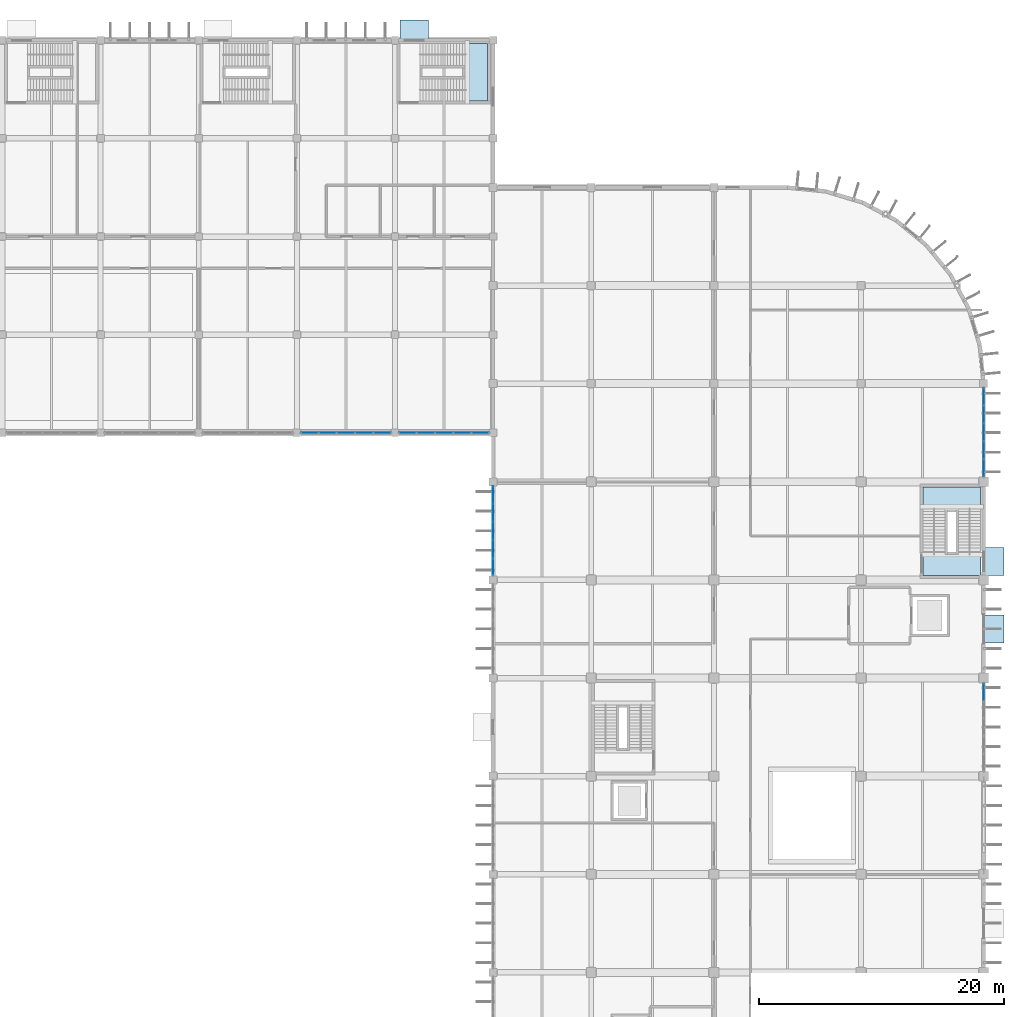
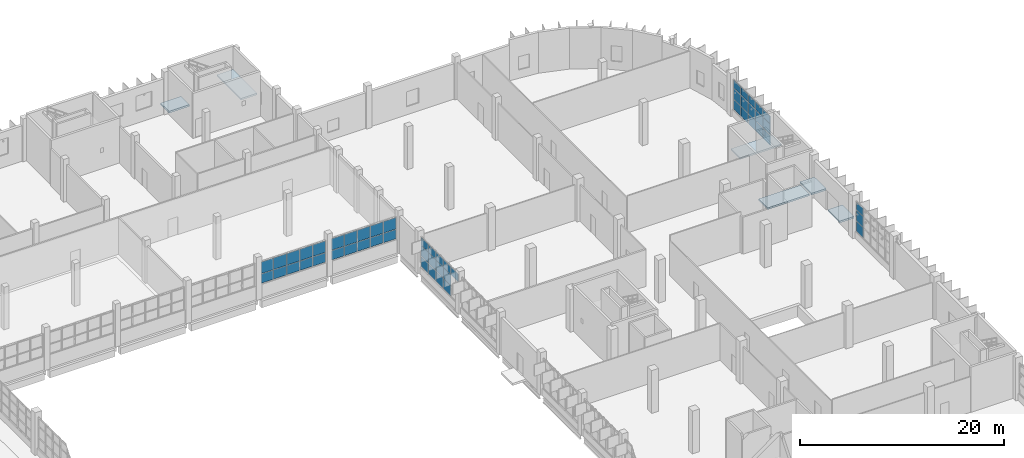
# One storey, part 64 of 103: 51 plates, 6 slabs, 7 elements without a shape of their own.
"""IFC4 building model written with IfcOpenShell, lengths in metres."""

from ifc_helpers import new_model, si_unit, direction, frame, origin, origin_2d, place, context, subcontext, project, spatial, polyline, rectangle, outline, extrude, material, layer, layer_set, type_object, element, aggregate, save


model = new_model("IFC4")

# Units and contexts
model_context = context("Model", 3, precision=1e-05, world=origin(), true_north=direction((0.0, 1.0)))
body_context = subcontext(model_context, "Body", "Model", "MODEL_VIEW")
ifc_project = project(units=[si_unit("LENGTHUNIT", "METRE"), si_unit("AREAUNIT", "SQUARE_METRE"), si_unit("VOLUMEUNIT", "CUBIC_METRE"), si_unit("PLANEANGLEUNIT", "RADIAN"), si_unit("MASSUNIT", "GRAM", prefix="KILO")], contexts=[model_context])

# Site, building, storey
site_placement = place(None, origin())
site = spatial("IfcSite", under=ifc_project, at=site_placement, CompositionType="ELEMENT")
building_placement = place(site_placement, origin())
building = spatial("IfcBuilding", under=site, at=building_placement, Name="Drelvana Railside Aquatics Centre", CompositionType="ELEMENT")
storey_placement = place(building_placement, origin())
storey = spatial("IfcBuildingStorey", under=building, at=storey_placement, Name="L00", CompositionType="ELEMENT", Elevation=0.0)

# Curtain wall, plates
ifc_material_1 = material(Name="Bronze-anodised aluminium curtain wall", Category="aluminium")
ifc_layer_1 = layer(ifc_material_1, 0.1650390625, Name="Bronze-anodised aluminium curtain wall")
ifc_layer_set_1 = layer_set([ifc_layer_1], Name="Bronze-anodised aluminium curtain wall")
curtain_wall_type_1 = type_object("IfcCurtainWallType", Name="CW-Z5-COURT", PredefinedType="NOTDEFINED", material=ifc_layer_set_1)
curtain_wall_1_placement = place(storey_placement, origin())
curtain_wall_1 = element("IfcCurtainWall", 1, at=curtain_wall_1_placement, inside=storey, type_object=curtain_wall_type_1, Name="Curtain wall CW-05-123", PredefinedType="NOTDEFINED")
ifc_material_2 = material(Name="Double-glazed low-e solar-control glass", Category="glass")
ifc_layer_2 = layer(ifc_material_2, 0.02587890625, Name="Double-glazed low-e solar-control glass")
ifc_layer_set_2 = layer_set([ifc_layer_2], Name="Double-glazed low-e solar-control glass")
plate_type_1 = type_object("IfcPlateType", Name="CW-Z5-COURT-PAN", PredefinedType="CURTAIN_PANEL", material=ifc_layer_set_2)
plate_1_placement = place(storey_placement, frame((129.05029296875, 84.0, 1.64892578125), z_axis=(0.0, 0.0, 1.0), x_axis=(1.0, 0.0, 0.0)))
plate_1 = element("IfcPlate", 2, at=plate_1_placement, type_object=plate_type_1, Name="CW-05 panel 1.1", PredefinedType="CURTAIN_PANEL", context=body_context, shape_type="SweptSolid", body=[
    extrude(rectangle(XDim=1.40234375, YDim=0.02587890625, at=origin_2d()), origin(), (0.0, 0.0, 1.0), 1.114990234375),
])
plate_2_placement = place(storey_placement, frame((129.05029296875, 84.0, 2.81396484375), z_axis=(0.0, 0.0, 1.0), x_axis=(1.0, 0.0, 0.0)))
plate_2 = element("IfcPlate", 3, at=plate_2_placement, type_object=plate_type_1, Name="CW-05 panel 1.2", PredefinedType="CURTAIN_PANEL", context=body_context, shape_type="SweptSolid", body=[
    extrude(rectangle(XDim=1.40234375, YDim=0.02587890625, at=origin_2d()), origin(), (0.0, 0.0, 1.0), 1.381103515625),
])
plate_3_placement = place(storey_placement, frame((130.517578125, 84.0, 1.64892578125), z_axis=(0.0, 0.0, 1.0), x_axis=(1.0, 0.0, 0.0)))
plate_3 = element("IfcPlate", 4, at=plate_3_placement, type_object=plate_type_1, Name="CW-05 panel 2.1", PredefinedType="CURTAIN_PANEL", context=body_context, shape_type="SweptSolid", body=[
    extrude(rectangle(XDim=1.432373046875, YDim=0.02587890625, at=origin_2d()), origin(), (0.0, 0.0, 1.0), 1.114990234375),
])
plate_4_placement = place(storey_placement, frame((130.517578125, 84.0, 2.81396484375), z_axis=(0.0, 0.0, 1.0), x_axis=(1.0, 0.0, 0.0)))
plate_4 = element("IfcPlate", 5, at=plate_4_placement, type_object=plate_type_1, Name="CW-05 panel 2.2", PredefinedType="CURTAIN_PANEL", context=body_context, shape_type="SweptSolid", body=[
    extrude(rectangle(XDim=1.432373046875, YDim=0.02587890625, at=origin_2d()), origin(), (0.0, 0.0, 1.0), 1.381103515625),
])
plate_5_placement = place(storey_placement, frame((132.0, 84.0, 1.64892578125), z_axis=(0.0, 0.0, 1.0), x_axis=(1.0, 0.0, 0.0)))
plate_5 = element("IfcPlate", 6, at=plate_5_placement, type_object=plate_type_1, Name="CW-05 panel 3.1", PredefinedType="CURTAIN_PANEL", context=body_context, shape_type="SweptSolid", body=[
    extrude(rectangle(XDim=1.432373046875, YDim=0.02587890625, at=origin_2d()), origin(), (0.0, 0.0, 1.0), 1.114990234375),
])
plate_6_placement = place(storey_placement, frame((132.0, 84.0, 2.81396484375), z_axis=(0.0, 0.0, 1.0), x_axis=(1.0, 0.0, 0.0)))
plate_6 = element("IfcPlate", 7, at=plate_6_placement, type_object=plate_type_1, Name="CW-05 panel 3.2", PredefinedType="CURTAIN_PANEL", context=body_context, shape_type="SweptSolid", body=[
    extrude(rectangle(XDim=1.432373046875, YDim=0.02587890625, at=origin_2d()), origin(), (0.0, 0.0, 1.0), 1.381103515625),
])
plate_7_placement = place(storey_placement, frame((133.482421875, 84.0, 1.64892578125), z_axis=(0.0, 0.0, 1.0), x_axis=(1.0, 0.0, 0.0)))
plate_7 = element("IfcPlate", 8, at=plate_7_placement, type_object=plate_type_1, Name="CW-05 panel 4.1", PredefinedType="CURTAIN_PANEL", context=body_context, shape_type="SweptSolid", body=[
    extrude(rectangle(XDim=1.432373046875, YDim=0.02587890625, at=origin_2d()), origin(), (0.0, 0.0, 1.0), 1.114990234375),
])
plate_8_placement = place(storey_placement, frame((133.482421875, 84.0, 2.81396484375), z_axis=(0.0, 0.0, 1.0), x_axis=(1.0, 0.0, 0.0)))
plate_8 = element("IfcPlate", 9, at=plate_8_placement, type_object=plate_type_1, Name="CW-05 panel 4.2", PredefinedType="CURTAIN_PANEL", context=body_context, shape_type="SweptSolid", body=[
    extrude(rectangle(XDim=1.432373046875, YDim=0.02587890625, at=origin_2d()), origin(), (0.0, 0.0, 1.0), 1.381103515625),
])
plate_9_placement = place(storey_placement, frame((134.94970703125, 84.0, 1.64892578125), z_axis=(0.0, 0.0, 1.0), x_axis=(1.0, 0.0, 0.0)))
plate_9 = element("IfcPlate", 10, at=plate_9_placement, type_object=plate_type_1, Name="CW-05 panel 5.1", PredefinedType="CURTAIN_PANEL", context=body_context, shape_type="SweptSolid", body=[
    extrude(rectangle(XDim=1.40234375, YDim=0.02587890625, at=origin_2d()), origin(), (0.0, 0.0, 1.0), 1.114990234375),
])
plate_10_placement = place(storey_placement, frame((134.94970703125, 84.0, 2.81396484375), z_axis=(0.0, 0.0, 1.0), x_axis=(1.0, 0.0, 0.0)))
plate_10 = element("IfcPlate", 11, at=plate_10_placement, type_object=plate_type_1, Name="CW-05 panel 5.2", PredefinedType="CURTAIN_PANEL", context=body_context, shape_type="SweptSolid", body=[
    extrude(rectangle(XDim=1.40234375, YDim=0.02587890625, at=origin_2d()), origin(), (0.0, 0.0, 1.0), 1.381103515625),
])
aggregate(curtain_wall_1, [plate_1, plate_2, plate_3, plate_4, plate_5, plate_6, plate_7, plate_8, plate_9, plate_10])

curtain_wall_2_placement = place(storey_placement, origin())
curtain_wall_2 = element("IfcCurtainWall", 12, at=curtain_wall_2_placement, inside=storey, type_object=curtain_wall_type_1, Name="Curtain wall CW-05-125", PredefinedType="NOTDEFINED")
plate_11_placement = place(storey_placement, frame((137.05029296875, 84.0, 1.64892578125), z_axis=(0.0, 0.0, 1.0), x_axis=(1.0, 0.0, 0.0)))
plate_11 = element("IfcPlate", 13, at=plate_11_placement, type_object=plate_type_1, Name="CW-05 panel 1.1", PredefinedType="CURTAIN_PANEL", context=body_context, shape_type="SweptSolid", body=[
    extrude(rectangle(XDim=1.40234375, YDim=0.02587890625, at=origin_2d()), origin(), (0.0, 0.0, 1.0), 1.114990234375),
])
plate_12_placement = place(storey_placement, frame((137.05029296875, 84.0, 2.81396484375), z_axis=(0.0, 0.0, 1.0), x_axis=(1.0, 0.0, 0.0)))
plate_12 = element("IfcPlate", 14, at=plate_12_placement, type_object=plate_type_1, Name="CW-05 panel 1.2", PredefinedType="CURTAIN_PANEL", context=body_context, shape_type="SweptSolid", body=[
    extrude(rectangle(XDim=1.40234375, YDim=0.02587890625, at=origin_2d()), origin(), (0.0, 0.0, 1.0), 1.381103515625),
])
plate_13_placement = place(storey_placement, frame((138.517578125, 84.0, 1.64892578125), z_axis=(0.0, 0.0, 1.0), x_axis=(1.0, 0.0, 0.0)))
plate_13 = element("IfcPlate", 15, at=plate_13_placement, type_object=plate_type_1, Name="CW-05 panel 2.1", PredefinedType="CURTAIN_PANEL", context=body_context, shape_type="SweptSolid", body=[
    extrude(rectangle(XDim=1.432373046875, YDim=0.02587890625, at=origin_2d()), origin(), (0.0, 0.0, 1.0), 1.114990234375),
])
plate_14_placement = place(storey_placement, frame((138.517578125, 84.0, 2.81396484375), z_axis=(0.0, 0.0, 1.0), x_axis=(1.0, 0.0, 0.0)))
plate_14 = element("IfcPlate", 16, at=plate_14_placement, type_object=plate_type_1, Name="CW-05 panel 2.2", PredefinedType="CURTAIN_PANEL", context=body_context, shape_type="SweptSolid", body=[
    extrude(rectangle(XDim=1.432373046875, YDim=0.02587890625, at=origin_2d()), origin(), (0.0, 0.0, 1.0), 1.381103515625),
])
plate_15_placement = place(storey_placement, frame((140.0, 84.0, 1.64892578125), z_axis=(0.0, 0.0, 1.0), x_axis=(1.0, 0.0, 0.0)))
plate_15 = element("IfcPlate", 17, at=plate_15_placement, type_object=plate_type_1, Name="CW-05 panel 3.1", PredefinedType="CURTAIN_PANEL", context=body_context, shape_type="SweptSolid", body=[
    extrude(rectangle(XDim=1.432373046875, YDim=0.02587890625, at=origin_2d()), origin(), (0.0, 0.0, 1.0), 1.114990234375),
])
plate_16_placement = place(storey_placement, frame((140.0, 84.0, 2.81396484375), z_axis=(0.0, 0.0, 1.0), x_axis=(1.0, 0.0, 0.0)))
plate_16 = element("IfcPlate", 18, at=plate_16_placement, type_object=plate_type_1, Name="CW-05 panel 3.2", PredefinedType="CURTAIN_PANEL", context=body_context, shape_type="SweptSolid", body=[
    extrude(rectangle(XDim=1.432373046875, YDim=0.02587890625, at=origin_2d()), origin(), (0.0, 0.0, 1.0), 1.381103515625),
])
plate_17_placement = place(storey_placement, frame((141.482421875, 84.0, 1.64892578125), z_axis=(0.0, 0.0, 1.0), x_axis=(1.0, 0.0, 0.0)))
plate_17 = element("IfcPlate", 19, at=plate_17_placement, type_object=plate_type_1, Name="CW-05 panel 4.1", PredefinedType="CURTAIN_PANEL", context=body_context, shape_type="SweptSolid", body=[
    extrude(rectangle(XDim=1.432373046875, YDim=0.02587890625, at=origin_2d()), origin(), (0.0, 0.0, 1.0), 1.114990234375),
])
plate_18_placement = place(storey_placement, frame((141.482421875, 84.0, 2.81396484375), z_axis=(0.0, 0.0, 1.0), x_axis=(1.0, 0.0, 0.0)))
plate_18 = element("IfcPlate", 20, at=plate_18_placement, type_object=plate_type_1, Name="CW-05 panel 4.2", PredefinedType="CURTAIN_PANEL", context=body_context, shape_type="SweptSolid", body=[
    extrude(rectangle(XDim=1.432373046875, YDim=0.02587890625, at=origin_2d()), origin(), (0.0, 0.0, 1.0), 1.381103515625),
])
plate_19_placement = place(storey_placement, frame((142.94970703125, 84.0, 1.64892578125), z_axis=(0.0, 0.0, 1.0), x_axis=(1.0, 0.0, 0.0)))
plate_19 = element("IfcPlate", 21, at=plate_19_placement, type_object=plate_type_1, Name="CW-05 panel 5.1", PredefinedType="CURTAIN_PANEL", context=body_context, shape_type="SweptSolid", body=[
    extrude(rectangle(XDim=1.40234375, YDim=0.02587890625, at=origin_2d()), origin(), (0.0, 0.0, 1.0), 1.114990234375),
])
plate_20_placement = place(storey_placement, frame((142.94970703125, 84.0, 2.81396484375), z_axis=(0.0, 0.0, 1.0), x_axis=(1.0, 0.0, 0.0)))
plate_20 = element("IfcPlate", 22, at=plate_20_placement, type_object=plate_type_1, Name="CW-05 panel 5.2", PredefinedType="CURTAIN_PANEL", context=body_context, shape_type="SweptSolid", body=[
    extrude(rectangle(XDim=1.40234375, YDim=0.02587890625, at=origin_2d()), origin(), (0.0, 0.0, 1.0), 1.381103515625),
])
aggregate(curtain_wall_2, [plate_11, plate_12, plate_13, plate_14, plate_15, plate_16, plate_17, plate_18, plate_19, plate_20])

ifc_layer_3 = layer(ifc_material_1, 0.175048828125, Name="Bronze-anodised aluminium curtain wall")
ifc_layer_set_3 = layer_set([ifc_layer_3], Name="Bronze-anodised aluminium curtain wall")
curtain_wall_type_2 = type_object("IfcCurtainWallType", Name="CW-Z6-WING", PredefinedType="NOTDEFINED", material=ifc_layer_set_3)
curtain_wall_3_placement = place(storey_placement, origin())
curtain_wall_3 = element("IfcCurtainWall", 23, at=curtain_wall_3_placement, inside=storey, type_object=curtain_wall_type_2, Name="Curtain wall CW-06-159", PredefinedType="NOTDEFINED")
ifc_layer_4 = layer(ifc_material_2, 0.02392578125, Name="Double-glazed low-e solar-control glass")
ifc_layer_set_4 = layer_set([ifc_layer_4], Name="Double-glazed low-e solar-control glass")
plate_type_2 = type_object("IfcPlateType", Name="CW-Z6-WING-PAN", PredefinedType="CURTAIN_PANEL", material=ifc_layer_set_4)
plate_21_placement = place(storey_placement, frame((144.0, 73.071533203125, 3.4150390625), z_axis=(0.0, 0.0, 1.0), x_axis=(0.0, 1.0, 0.0)))
plate_21 = element("IfcPlate", 24, at=plate_21_placement, type_object=plate_type_2, Name="CW-06 panel 1.3", PredefinedType="CURTAIN_PANEL", context=body_context, shape_type="SweptSolid", body=[
    extrude(rectangle(XDim=1.385009765625, YDim=0.02392578125, at=origin_2d()), origin(), (0.0, 0.0, 1.0), 0.929931640625),
])
plate_22_placement = place(storey_placement, frame((144.0, 74.527587890625, 0.84912109375), z_axis=(0.0, 0.0, 1.0), x_axis=(0.0, 1.0, 0.0)))
plate_22 = element("IfcPlate", 25, at=plate_22_placement, type_object=plate_type_2, Name="CW-06 panel 2.1", PredefinedType="CURTAIN_PANEL", context=body_context, shape_type="SweptSolid", body=[
    extrude(rectangle(XDim=1.41748046875, YDim=0.02392578125, at=origin_2d()), origin(), (0.0, 0.0, 1.0), 1.181884765625),
])
plate_23_placement = place(storey_placement, frame((144.0, 74.527587890625, 2.0810546875), z_axis=(0.0, 0.0, 1.0), x_axis=(0.0, 1.0, 0.0)))
plate_23 = element("IfcPlate", 26, at=plate_23_placement, type_object=plate_type_2, Name="CW-06 panel 2.2", PredefinedType="CURTAIN_PANEL", context=body_context, shape_type="SweptSolid", body=[
    extrude(rectangle(XDim=1.41748046875, YDim=0.02392578125, at=origin_2d()), origin(), (0.0, 0.0, 1.0), 1.283935546875),
])
plate_24_placement = place(storey_placement, frame((144.0, 74.527587890625, 3.4150390625), z_axis=(0.0, 0.0, 1.0), x_axis=(0.0, 1.0, 0.0)))
plate_24 = element("IfcPlate", 27, at=plate_24_placement, type_object=plate_type_2, Name="CW-06 panel 2.3", PredefinedType="CURTAIN_PANEL", context=body_context, shape_type="SweptSolid", body=[
    extrude(rectangle(XDim=1.41748046875, YDim=0.02392578125, at=origin_2d()), origin(), (0.0, 0.0, 1.0), 0.929931640625),
])
plate_25_placement = place(storey_placement, frame((144.0, 76.0, 0.84912109375), z_axis=(0.0, 0.0, 1.0), x_axis=(0.0, 1.0, 0.0)))
plate_25 = element("IfcPlate", 28, at=plate_25_placement, type_object=plate_type_2, Name="CW-06 panel 3.1", PredefinedType="CURTAIN_PANEL", context=body_context, shape_type="SweptSolid", body=[
    extrude(rectangle(XDim=1.41748046875, YDim=0.02392578125, at=origin_2d()), origin(), (0.0, 0.0, 1.0), 1.181884765625),
])
plate_26_placement = place(storey_placement, frame((144.0, 76.0, 2.0810546875), z_axis=(0.0, 0.0, 1.0), x_axis=(0.0, 1.0, 0.0)))
plate_26 = element("IfcPlate", 29, at=plate_26_placement, type_object=plate_type_2, Name="CW-06 panel 3.2", PredefinedType="CURTAIN_PANEL", context=body_context, shape_type="SweptSolid", body=[
    extrude(rectangle(XDim=1.41748046875, YDim=0.02392578125, at=origin_2d()), origin(), (0.0, 0.0, 1.0), 1.283935546875),
])
plate_27_placement = place(storey_placement, frame((144.0, 76.0, 3.4150390625), z_axis=(0.0, 0.0, 1.0), x_axis=(0.0, 1.0, 0.0)))
plate_27 = element("IfcPlate", 30, at=plate_27_placement, type_object=plate_type_2, Name="CW-06 panel 3.3", PredefinedType="CURTAIN_PANEL", context=body_context, shape_type="SweptSolid", body=[
    extrude(rectangle(XDim=1.41748046875, YDim=0.02392578125, at=origin_2d()), origin(), (0.0, 0.0, 1.0), 0.929931640625),
])
plate_28_placement = place(storey_placement, frame((144.0, 77.472412109375, 0.84912109375), z_axis=(0.0, 0.0, 1.0), x_axis=(0.0, 1.0, 0.0)))
plate_28 = element("IfcPlate", 31, at=plate_28_placement, type_object=plate_type_2, Name="CW-06 panel 4.1", PredefinedType="CURTAIN_PANEL", context=body_context, shape_type="SweptSolid", body=[
    extrude(rectangle(XDim=1.41748046875, YDim=0.02392578125, at=origin_2d()), origin(), (0.0, 0.0, 1.0), 1.181884765625),
])
plate_29_placement = place(storey_placement, frame((144.0, 77.472412109375, 2.0810546875), z_axis=(0.0, 0.0, 1.0), x_axis=(0.0, 1.0, 0.0)))
plate_29 = element("IfcPlate", 32, at=plate_29_placement, type_object=plate_type_2, Name="CW-06 panel 4.2", PredefinedType="CURTAIN_PANEL", context=body_context, shape_type="SweptSolid", body=[
    extrude(rectangle(XDim=1.41748046875, YDim=0.02392578125, at=origin_2d()), origin(), (0.0, 0.0, 1.0), 1.283935546875),
])
plate_30_placement = place(storey_placement, frame((144.0, 77.472412109375, 3.4150390625), z_axis=(0.0, 0.0, 1.0), x_axis=(0.0, 1.0, 0.0)))
plate_30 = element("IfcPlate", 33, at=plate_30_placement, type_object=plate_type_2, Name="CW-06 panel 4.3", PredefinedType="CURTAIN_PANEL", context=body_context, shape_type="SweptSolid", body=[
    extrude(rectangle(XDim=1.41748046875, YDim=0.02392578125, at=origin_2d()), origin(), (0.0, 0.0, 1.0), 0.929931640625),
])
plate_31_placement = place(storey_placement, frame((144.0, 78.928466796875, 0.84912109375), z_axis=(0.0, 0.0, 1.0), x_axis=(0.0, 1.0, 0.0)))
plate_31 = element("IfcPlate", 34, at=plate_31_placement, type_object=plate_type_2, Name="CW-06 panel 5.1", PredefinedType="CURTAIN_PANEL", context=body_context, shape_type="SweptSolid", body=[
    extrude(rectangle(XDim=1.385009765625, YDim=0.02392578125, at=origin_2d()), origin(), (0.0, 0.0, 1.0), 1.181884765625),
])
plate_32_placement = place(storey_placement, frame((144.0, 78.928466796875, 2.0810546875), z_axis=(0.0, 0.0, 1.0), x_axis=(0.0, 1.0, 0.0)))
plate_32 = element("IfcPlate", 35, at=plate_32_placement, type_object=plate_type_2, Name="CW-06 panel 5.2", PredefinedType="CURTAIN_PANEL", context=body_context, shape_type="SweptSolid", body=[
    extrude(rectangle(XDim=1.385009765625, YDim=0.02392578125, at=origin_2d()), origin(), (0.0, 0.0, 1.0), 1.283935546875),
])
plate_33_placement = place(storey_placement, frame((144.0, 78.928466796875, 3.4150390625), z_axis=(0.0, 0.0, 1.0), x_axis=(0.0, 1.0, 0.0)))
plate_33 = element("IfcPlate", 36, at=plate_33_placement, type_object=plate_type_2, Name="CW-06 panel 5.3", PredefinedType="CURTAIN_PANEL", context=body_context, shape_type="SweptSolid", body=[
    extrude(rectangle(XDim=1.385009765625, YDim=0.02392578125, at=origin_2d()), origin(), (0.0, 0.0, 1.0), 0.929931640625),
])
aggregate(curtain_wall_3, [plate_21, plate_22, plate_23, plate_24, plate_25, plate_26, plate_27, plate_28, plate_29, plate_30, plate_31, plate_32, plate_33])

curtain_wall_4_placement = place(storey_placement, origin())
curtain_wall_4 = element("IfcCurtainWall", 37, at=curtain_wall_4_placement, inside=storey, type_object=curtain_wall_type_2, Name="Curtain wall CW-06-175", PredefinedType="NOTDEFINED")
plate_34_placement = place(storey_placement, frame((184.0, 62.86865234375, 0.84912109375), z_axis=(0.0, 0.0, 1.0), x_axis=(0.0, 1.0, 0.0)))
plate_34 = element("IfcPlate", 38, at=plate_34_placement, type_object=plate_type_2, Name="CW-06 panel 5.1", PredefinedType="CURTAIN_PANEL", context=body_context, shape_type="SweptSolid", body=[
    extrude(rectangle(XDim=1.35498046875, YDim=0.02392578125, at=origin_2d()), origin(), (0.0, 0.0, 1.0), 1.181884765625),
])
plate_35_placement = place(storey_placement, frame((184.0, 62.86865234375, 2.0810546875), z_axis=(0.0, 0.0, 1.0), x_axis=(0.0, 1.0, 0.0)))
plate_35 = element("IfcPlate", 39, at=plate_35_placement, type_object=plate_type_2, Name="CW-06 panel 5.2", PredefinedType="CURTAIN_PANEL", context=body_context, shape_type="SweptSolid", body=[
    extrude(rectangle(XDim=1.35498046875, YDim=0.02392578125, at=origin_2d()), origin(), (0.0, 0.0, 1.0), 1.283935546875),
])
plate_36_placement = place(storey_placement, frame((184.0, 62.86865234375, 3.4150390625), z_axis=(0.0, 0.0, 1.0), x_axis=(0.0, 1.0, 0.0)))
plate_36 = element("IfcPlate", 40, at=plate_36_placement, type_object=plate_type_2, Name="CW-06 panel 5.3", PredefinedType="CURTAIN_PANEL", context=body_context, shape_type="SweptSolid", body=[
    extrude(rectangle(XDim=1.35498046875, YDim=0.02392578125, at=origin_2d()), origin(), (0.0, 0.0, 1.0), 0.929931640625),
])
aggregate(curtain_wall_4, [plate_34, plate_35, plate_36])

curtain_wall_5_placement = place(storey_placement, origin())
curtain_wall_5 = element("IfcCurtainWall", 41, at=curtain_wall_5_placement, inside=storey, type_object=curtain_wall_type_2, Name="Curtain wall CW-06-184", PredefinedType="NOTDEFINED")
plate_37_placement = place(storey_placement, frame((184.0, 81.138916015625, 0.84912109375), z_axis=(0.0, 0.0, 1.0), x_axis=(0.0, 1.0, 0.0)))
plate_37 = element("IfcPlate", 42, at=plate_37_placement, type_object=plate_type_2, Name="CW-06 panel 1.1", PredefinedType="CURTAIN_PANEL", context=body_context, shape_type="SweptSolid", body=[
    extrude(rectangle(XDim=1.369873046875, YDim=0.02392578125, at=origin_2d()), origin(), (0.0, 0.0, 1.0), 1.181884765625),
])
plate_38_placement = place(storey_placement, frame((184.0, 81.138916015625, 2.0810546875), z_axis=(0.0, 0.0, 1.0), x_axis=(0.0, 1.0, 0.0)))
plate_38 = element("IfcPlate", 43, at=plate_38_placement, type_object=plate_type_2, Name="CW-06 panel 1.2", PredefinedType="CURTAIN_PANEL", context=body_context, shape_type="SweptSolid", body=[
    extrude(rectangle(XDim=1.369873046875, YDim=0.02392578125, at=origin_2d()), origin(), (0.0, 0.0, 1.0), 1.283935546875),
])
plate_39_placement = place(storey_placement, frame((184.0, 81.138916015625, 3.4150390625), z_axis=(0.0, 0.0, 1.0), x_axis=(0.0, 1.0, 0.0)))
plate_39 = element("IfcPlate", 44, at=plate_39_placement, type_object=plate_type_2, Name="CW-06 panel 1.3", PredefinedType="CURTAIN_PANEL", context=body_context, shape_type="SweptSolid", body=[
    extrude(rectangle(XDim=1.369873046875, YDim=0.02392578125, at=origin_2d()), origin(), (0.0, 0.0, 1.0), 0.929931640625),
])
plate_40_placement = place(storey_placement, frame((184.0, 82.580078125, 0.84912109375), z_axis=(0.0, 0.0, 1.0), x_axis=(0.0, 1.0, 0.0)))
plate_40 = element("IfcPlate", 45, at=plate_40_placement, type_object=plate_type_2, Name="CW-06 panel 2.1", PredefinedType="CURTAIN_PANEL", context=body_context, shape_type="SweptSolid", body=[
    extrude(rectangle(XDim=1.40234375, YDim=0.02392578125, at=origin_2d()), origin(), (0.0, 0.0, 1.0), 1.181884765625),
])
plate_41_placement = place(storey_placement, frame((184.0, 82.580078125, 2.0810546875), z_axis=(0.0, 0.0, 1.0), x_axis=(0.0, 1.0, 0.0)))
plate_41 = element("IfcPlate", 46, at=plate_41_placement, type_object=plate_type_2, Name="CW-06 panel 2.2", PredefinedType="CURTAIN_PANEL", context=body_context, shape_type="SweptSolid", body=[
    extrude(rectangle(XDim=1.40234375, YDim=0.02392578125, at=origin_2d()), origin(), (0.0, 0.0, 1.0), 1.283935546875),
])
plate_42_placement = place(storey_placement, frame((184.0, 82.580078125, 3.4150390625), z_axis=(0.0, 0.0, 1.0), x_axis=(0.0, 1.0, 0.0)))
plate_42 = element("IfcPlate", 47, at=plate_42_placement, type_object=plate_type_2, Name="CW-06 panel 2.3", PredefinedType="CURTAIN_PANEL", context=body_context, shape_type="SweptSolid", body=[
    extrude(rectangle(XDim=1.40234375, YDim=0.02392578125, at=origin_2d()), origin(), (0.0, 0.0, 1.0), 0.929931640625),
])
plate_43_placement = place(storey_placement, frame((184.0, 84.03759765625, 0.84912109375), z_axis=(0.0, 0.0, 1.0), x_axis=(0.0, 1.0, 0.0)))
plate_43 = element("IfcPlate", 48, at=plate_43_placement, type_object=plate_type_2, Name="CW-06 panel 3.1", PredefinedType="CURTAIN_PANEL", context=body_context, shape_type="SweptSolid", body=[
    extrude(rectangle(XDim=1.40234375, YDim=0.02392578125, at=origin_2d()), origin(), (0.0, 0.0, 1.0), 1.181884765625),
])
plate_44_placement = place(storey_placement, frame((184.0, 84.03759765625, 2.0810546875), z_axis=(0.0, 0.0, 1.0), x_axis=(0.0, 1.0, 0.0)))
plate_44 = element("IfcPlate", 49, at=plate_44_placement, type_object=plate_type_2, Name="CW-06 panel 3.2", PredefinedType="CURTAIN_PANEL", context=body_context, shape_type="SweptSolid", body=[
    extrude(rectangle(XDim=1.40234375, YDim=0.02392578125, at=origin_2d()), origin(), (0.0, 0.0, 1.0), 1.283935546875),
])
plate_45_placement = place(storey_placement, frame((184.0, 84.03759765625, 3.4150390625), z_axis=(0.0, 0.0, 1.0), x_axis=(0.0, 1.0, 0.0)))
plate_45 = element("IfcPlate", 50, at=plate_45_placement, type_object=plate_type_2, Name="CW-06 panel 3.3", PredefinedType="CURTAIN_PANEL", context=body_context, shape_type="SweptSolid", body=[
    extrude(rectangle(XDim=1.40234375, YDim=0.02392578125, at=origin_2d()), origin(), (0.0, 0.0, 1.0), 0.929931640625),
])
plate_46_placement = place(storey_placement, frame((184.0, 85.494873046875, 0.84912109375), z_axis=(0.0, 0.0, 1.0), x_axis=(0.0, 1.0, 0.0)))
plate_46 = element("IfcPlate", 51, at=plate_46_placement, type_object=plate_type_2, Name="CW-06 panel 4.1", PredefinedType="CURTAIN_PANEL", context=body_context, shape_type="SweptSolid", body=[
    extrude(rectangle(XDim=1.40234375, YDim=0.02392578125, at=origin_2d()), origin(), (0.0, 0.0, 1.0), 1.181884765625),
])
plate_47_placement = place(storey_placement, frame((184.0, 85.494873046875, 2.0810546875), z_axis=(0.0, 0.0, 1.0), x_axis=(0.0, 1.0, 0.0)))
plate_47 = element("IfcPlate", 52, at=plate_47_placement, type_object=plate_type_2, Name="CW-06 panel 4.2", PredefinedType="CURTAIN_PANEL", context=body_context, shape_type="SweptSolid", body=[
    extrude(rectangle(XDim=1.40234375, YDim=0.02392578125, at=origin_2d()), origin(), (0.0, 0.0, 1.0), 1.283935546875),
])
plate_48_placement = place(storey_placement, frame((184.0, 85.494873046875, 3.4150390625), z_axis=(0.0, 0.0, 1.0), x_axis=(0.0, 1.0, 0.0)))
plate_48 = element("IfcPlate", 53, at=plate_48_placement, type_object=plate_type_2, Name="CW-06 panel 4.3", PredefinedType="CURTAIN_PANEL", context=body_context, shape_type="SweptSolid", body=[
    extrude(rectangle(XDim=1.40234375, YDim=0.02392578125, at=origin_2d()), origin(), (0.0, 0.0, 1.0), 0.929931640625),
])
plate_49_placement = place(storey_placement, frame((184.0, 86.93603515625, 0.84912109375), z_axis=(0.0, 0.0, 1.0), x_axis=(0.0, 1.0, 0.0)))
plate_49 = element("IfcPlate", 54, at=plate_49_placement, type_object=plate_type_2, Name="CW-06 panel 5.1", PredefinedType="CURTAIN_PANEL", context=body_context, shape_type="SweptSolid", body=[
    extrude(rectangle(XDim=1.369873046875, YDim=0.02392578125, at=origin_2d()), origin(), (0.0, 0.0, 1.0), 1.181884765625),
])
plate_50_placement = place(storey_placement, frame((184.0, 86.93603515625, 2.0810546875), z_axis=(0.0, 0.0, 1.0), x_axis=(0.0, 1.0, 0.0)))
plate_50 = element("IfcPlate", 55, at=plate_50_placement, type_object=plate_type_2, Name="CW-06 panel 5.2", PredefinedType="CURTAIN_PANEL", context=body_context, shape_type="SweptSolid", body=[
    extrude(rectangle(XDim=1.369873046875, YDim=0.02392578125, at=origin_2d()), origin(), (0.0, 0.0, 1.0), 1.283935546875),
])
plate_51_placement = place(storey_placement, frame((184.0, 86.93603515625, 3.4150390625), z_axis=(0.0, 0.0, 1.0), x_axis=(0.0, 1.0, 0.0)))
plate_51 = element("IfcPlate", 56, at=plate_51_placement, type_object=plate_type_2, Name="CW-06 panel 5.3", PredefinedType="CURTAIN_PANEL", context=body_context, shape_type="SweptSolid", body=[
    extrude(rectangle(XDim=1.369873046875, YDim=0.02392578125, at=origin_2d()), origin(), (0.0, 0.0, 1.0), 0.929931640625),
])
aggregate(curtain_wall_5, [plate_37, plate_38, plate_39, plate_40, plate_41, plate_42, plate_43, plate_44, plate_45, plate_46, plate_47, plate_48, plate_49, plate_50, plate_51])

# Slab
ifc_material_3 = material(Name="Concrete C40/50", Category="concrete")
ifc_layer_5 = layer(ifc_material_3, 0.199951171875, Name="Concrete C40/50")
ifc_layer_set_5 = layer_set([ifc_layer_5], Name="Concrete C40/50")
slab_type_1 = type_object("IfcSlabType", Name="SL-LAND-200", PredefinedType="LANDING", material=ifc_layer_set_5)
slab_1_placement = place(storey_placement, frame((0.0, 0.0, -0.199951171875)))
element("IfcSlab", 57, at=slab_1_placement, inside=storey, type_object=slab_type_1, Name="Stair ST-07 L00 floor landing", PredefinedType="LANDING", context=body_context, shape_type="SweptSolid", body=[
    extrude(outline(polyline([(179.050048828125, 72.35009765625), (183.75, 72.35009765625), (183.75, 74.14990234375), (179.050048828125, 74.14990234375), (179.050048828125, 72.35009765625)])), origin(), (0.0, 0.0, 1.0), 0.199951171875),
])

# Stair, slab
stair_type = type_object("IfcStairType", Name="ST-CORE-L00", PredefinedType="HALF_TURN_STAIR", material=ifc_material_3)
stair_1_placement = place(storey_placement, origin())
stair_1 = element("IfcStair", 58, at=stair_1_placement, inside=storey, type_object=stair_type, Name="Exit stair ST-07 (L00 to L01)", PredefinedType="HALF_TURN_STAIR")
slab_2_placement = place(storey_placement, frame((0.0, 0.0, 2.5)))
slab_2 = element("IfcSlab", 59, at=slab_2_placement, type_object=slab_type_1, Name="ST-L0 landing 1", PredefinedType="LANDING", context=body_context, shape_type="SweptSolid", body=[
    extrude(outline(polyline([(179.050048828125, 77.780029296875), (183.75, 77.780029296875), (183.75, 79.590087890625), (179.050048828125, 79.590087890625), (179.050048828125, 77.780029296875)])), origin(), (0.0, 0.0, 1.0), 0.199951171875),
])
aggregate(stair_1, [slab_2])

stair_2_placement = place(storey_placement, origin())
stair_2 = element("IfcStair", 60, at=stair_2_placement, inside=storey, type_object=stair_type, Name="Exit stair ST-12 (L00 to L01)", PredefinedType="HALF_TURN_STAIR")
slab_3_placement = place(storey_placement, frame((0.0, 0.0, 2.5)))
slab_3 = element("IfcSlab", 61, at=slab_3_placement, type_object=slab_type_1, Name="ST-L0 landing 1", PredefinedType="LANDING", context=body_context, shape_type="SweptSolid", body=[
    extrude(outline(polyline([(141.7099609375, 111.050048828125), (143.550048828125, 111.050048828125), (143.550048828125, 115.75), (141.7099609375, 115.75), (141.7099609375, 111.050048828125)])), origin(), (0.0, 0.0, 1.0), 0.199951171875),
])
aggregate(stair_2, [slab_3])

# Slabs
ifc_material_4 = material(Name="Precast concrete C40/50", Category="concrete")
ifc_layer_6 = layer(ifc_material_4, 0.2099609375, Name="Precast concrete C40/50")
ifc_layer_set_6 = layer_set([ifc_layer_6], Name="Precast concrete C40/50")
slab_type_2 = type_object("IfcSlabType", Name="SL-PAV-210", PredefinedType="BASESLAB", material=ifc_layer_set_6)
slab_4_placement = place(storey_placement, frame((0.0, 0.0, -0.2099609375)))
element("IfcSlab", 62, at=slab_4_placement, inside=storey, type_object=slab_type_2, Name="Exterior threshold landing apron 017", PredefinedType="BASESLAB", context=body_context, shape_type="SweptSolid", body=[
    extrude(outline(polyline([(136.425048828125, 116.0048828125), (138.72509765625, 116.0048828125), (138.72509765625, 117.655029296875), (136.425048828125, 117.655029296875), (136.425048828125, 116.0048828125)])), origin(), (0.0, 0.0, 1.0), 0.2099609375),
])
slab_5_placement = place(storey_placement, frame((0.0, 0.0, -0.2099609375)))
element("IfcSlab", 63, at=slab_5_placement, inside=storey, type_object=slab_type_2, Name="Exterior threshold landing apron 025", PredefinedType="BASESLAB", context=body_context, shape_type="SweptSolid", body=[
    extrude(outline(polyline([(184.0048828125, 66.85009765625), (185.655029296875, 66.85009765625), (185.655029296875, 69.14990234375), (184.0048828125, 69.14990234375), (184.0048828125, 66.85009765625)])), origin(), (0.0, 0.0, 1.0), 0.2099609375),
])
slab_6_placement = place(storey_placement, frame((0.0, 0.0, -0.2099609375)))
element("IfcSlab", 64, at=slab_6_placement, inside=storey, type_object=slab_type_2, Name="Exterior threshold landing apron 026", PredefinedType="BASESLAB", context=body_context, shape_type="SweptSolid", body=[
    extrude(outline(polyline([(184.0048828125, 72.35498046875), (185.655029296875, 72.35498046875), (185.655029296875, 74.655029296875), (184.0048828125, 74.655029296875), (184.0048828125, 72.35498046875)])), origin(), (0.0, 0.0, 1.0), 0.2099609375),
])

save(model, "model.ifc")
